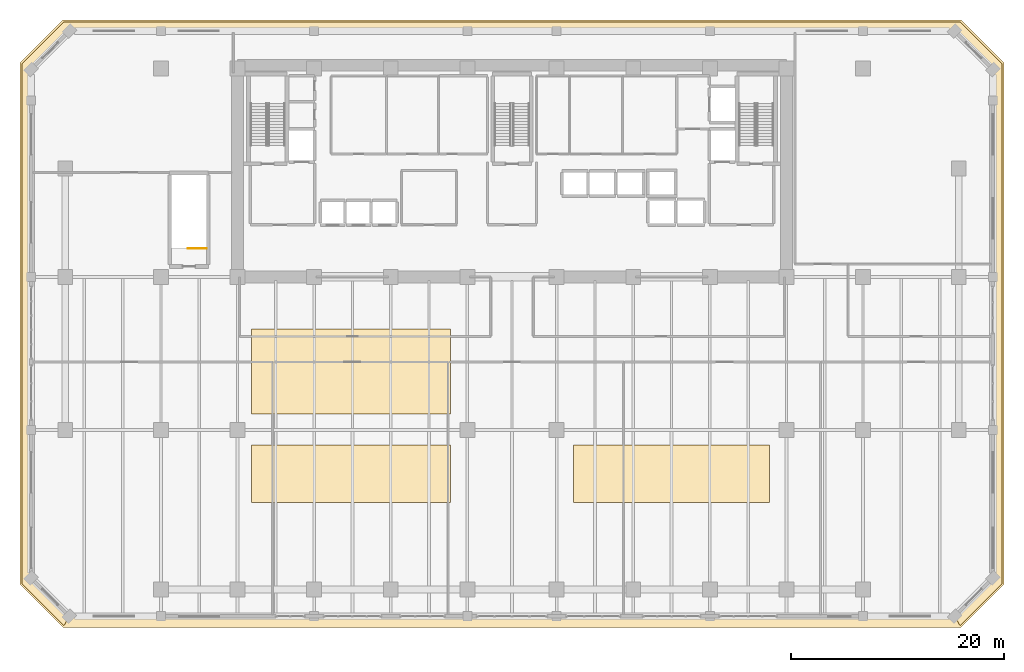
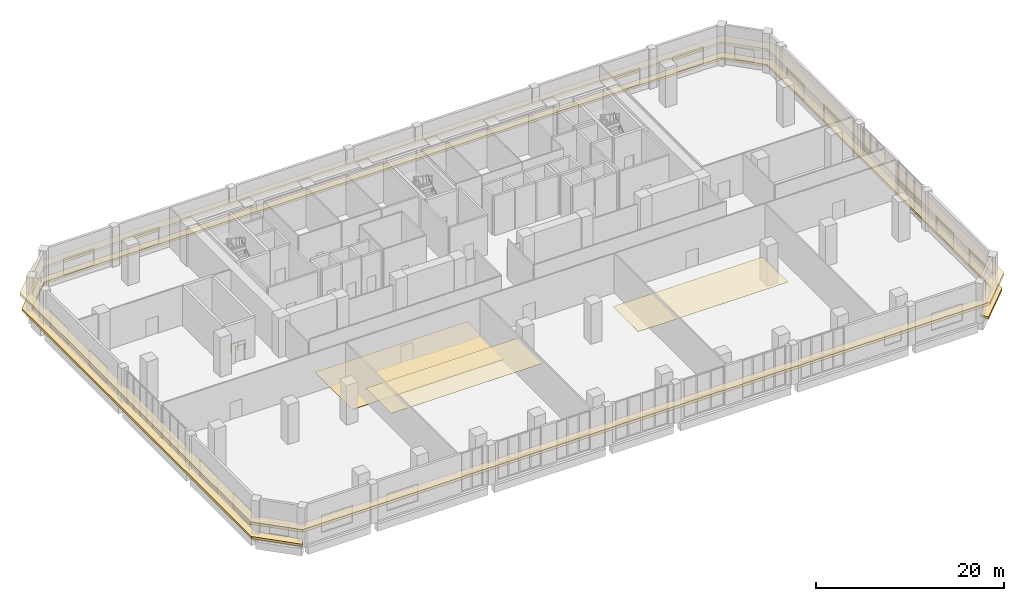
# One storey, part 23 of 25: 5 coverings, 1 railing.
"""IFC4 building model written with IfcOpenShell, lengths in metres."""

from ifc_helpers import new_model, si_unit, direction, frame, origin, origin_2d, place, context, subcontext, project, spatial, polyline, rectangle, outline, extrude, material, layer, layer_set, type_object, element, save


model = new_model("IFC4")

# Units and contexts
model_context = context("Model", 3, precision=1e-05, world=origin(), true_north=direction((0.0, 1.0)))
body_context = subcontext(model_context, "Body", "Model", "MODEL_VIEW")
ifc_project = project(units=[si_unit("LENGTHUNIT", "METRE"), si_unit("AREAUNIT", "SQUARE_METRE"), si_unit("VOLUMEUNIT", "CUBIC_METRE"), si_unit("PLANEANGLEUNIT", "RADIAN"), si_unit("MASSUNIT", "GRAM", prefix="KILO")], contexts=[model_context])

# Site, building, storey
site_placement = place(None, origin())
site = spatial("IfcSite", under=ifc_project, at=site_placement, CompositionType="ELEMENT")
building_placement = place(site_placement, origin())
building = spatial("IfcBuilding", under=site, at=building_placement, Name="Kaelvorn Grand Hotel", CompositionType="ELEMENT")
storey_placement = place(building_placement, frame((0.0, 0.0, 26.0)))
storey = spatial("IfcBuildingStorey", under=building, at=storey_placement, Name="L04", CompositionType="ELEMENT", Elevation=26.0)

# Coverings
ifc_material_1 = material(Name="Precast concrete C45/55", Category="concrete")
ifc_layer_1 = layer(ifc_material_1, 0.260009765625)
ifc_layer_set_1 = layer_set([ifc_layer_1], Name="Precast concrete C45/55")
covering_type_1 = type_object("IfcCoveringType", Name="COV-BAND-STREAMLINE-HEAD", PredefinedType="CLADDING", material=ifc_layer_set_1)
covering_1_placement = place(storey_placement, frame((0.0, 0.0, 2.419921875)))
element("IfcCovering", 1, at=covering_1_placement, inside=storey, type_object=covering_type_1, Name="L04 Streamline Moderne Wraparound Horizontal Eyebrow Band", PredefinedType="CLADDING", context=body_context, shape_type="SweptSolid", body=[
    extrude(outline(polyline([(-0.2099609375, -3.550048828125), (84.2099609375, -3.550048828125), (88.25, 0.489990234375), (88.25, 49.510009765625), (84.2099609375, 53.550048828125), (-0.2099609375, 53.550048828125), (-4.25, 49.510009765625), (-4.25, 0.489990234375), (-0.2099609375, -3.550048828125)]), holes=[polyline([(0.419921875, -2.469970703125), (83.580078125, -2.469970703125), (87.169921875, 1.1201171875), (87.169921875, 48.8798828125), (83.580078125, 52.469970703125), (0.419921875, 52.469970703125), (-3.169921875, 48.8798828125), (-3.169921875, 1.1201171875), (0.419921875, -2.469970703125)])]), origin(), (0.0, 0.0, 1.0), 0.360107421875),
])
ifc_layer_2 = layer(ifc_material_1, 0.219970703125)
ifc_layer_set_2 = layer_set([ifc_layer_2], Name="Precast concrete C45/55")
covering_type_2 = type_object("IfcCoveringType", Name="COV-BAND-STREAMLINE-SILL", PredefinedType="CLADDING", material=ifc_layer_set_2)
covering_2_placement = place(storey_placement, frame((0.0, 0.0, 0.449951171875)))
element("IfcCovering", 2, at=covering_2_placement, inside=storey, type_object=covering_type_2, Name="L04 Streamline Moderne Wraparound Horizontal Sill Spandrel Band", PredefinedType="CLADDING", context=body_context, shape_type="SweptSolid", body=[
    extrude(outline(polyline([(84.115478515625, -3.3798828125), (88.080078125, 0.58447265625), (88.080078125, 49.41552734375), (84.115478515625, 53.3798828125), (-0.115478515625, 53.3798828125), (-4.080078125, 49.41552734375), (-4.080078125, 0.58447265625), (-0.115478515625, -3.3798828125), (0.41748046875, -2.469970703125), (-3.169921875, 1.11767578125), (-3.169921875, 48.88232421875), (0.41748046875, 52.469970703125), (83.58251953125, 52.469970703125), (87.169921875, 48.88232421875), (87.169921875, 1.11767578125), (83.58251953125, -2.469970703125), (84.115478515625, -3.3798828125)])), origin(), (0.0, 0.0, 1.0), 0.300048828125),
])
ifc_material_2 = material(Name="Acoustic Mineral Fibre Board")
ifc_layer_3 = layer(ifc_material_2, 0.02490234375)
ifc_layer_set_3 = layer_set([ifc_layer_3], Name="Acoustic Mineral Fibre Board")
covering_type_3 = type_object("IfcCoveringType", Name="COV-CEIL-ACOUSTIC-25", PredefinedType="CEILING", material=ifc_layer_set_3)
covering_3_placement = place(storey_placement, frame((0.0, 0.0, 4.52783203125)))
element("IfcCovering", 3, at=covering_3_placement, inside=storey, type_object=covering_type_3, Name="L04 Suspended Acoustic Ceiling Panel 1", PredefinedType="CEILING", context=body_context, shape_type="SweptSolid", body=[
    extrude(outline(polyline([(17.5, 8.199951171875), (36.199951171875, 8.199951171875), (36.199951171875, 13.60009765625), (17.5, 13.60009765625), (17.5, 8.199951171875)])), origin(), (0.0, 0.0, 1.0), 0.02490234375),
])
covering_4_placement = place(storey_placement, frame((0.0, 0.0, 4.52783203125)))
element("IfcCovering", 4, at=covering_4_placement, inside=storey, type_object=covering_type_3, Name="L04 Suspended Acoustic Ceiling Panel 2", PredefinedType="CEILING", context=body_context, shape_type="SweptSolid", body=[
    extrude(outline(polyline([(47.800048828125, 8.199951171875), (66.199951171875, 8.199951171875), (66.199951171875, 13.60009765625), (47.800048828125, 13.60009765625), (47.800048828125, 8.199951171875)])), origin(), (0.0, 0.0, 1.0), 0.02490234375),
])
ifc_material_3 = material(Name="Polished Terrazzo Stone Tile", Category="masonry")
ifc_layer_4 = layer(ifc_material_3, 0.0400390625)
ifc_layer_set_4 = layer_set([ifc_layer_4], Name="Polished Terrazzo Stone Tile")
covering_type_4 = type_object("IfcCoveringType", Name="COV-FLR-TERRAZZO-40", PredefinedType="FLOORING", material=ifc_layer_set_4)
covering_5_placement = place(storey_placement, origin())
element("IfcCovering", 5, at=covering_5_placement, inside=storey, type_object=covering_type_4, Name="L04 Terrazzo Concourse Floor Finish", PredefinedType="FLOORING", context=body_context, shape_type="SweptSolid", body=[
    extrude(outline(polyline([(17.5, 16.5), (36.199951171875, 16.5), (36.199951171875, 24.5), (17.5, 24.5), (17.5, 16.5)])), origin(), (0.0, 0.0, 1.0), 0.0400390625),
])

# Railing
ifc_material_4 = material(Name="Stainless Steel", Category="steel")
railing_type = type_object("IfcRailingType", Name="RL-STAIR-GUARD-1150", PredefinedType="BALUSTRADE", material=ifc_material_4)
railing_placement = place(storey_placement, frame((13.280029296875, 32.06005859375, 0.0)))
element("IfcRailing", 6, at=railing_placement, inside=storey, type_object=railing_type, Name="L04 ST4 top well guard 1", PredefinedType="BALUSTRADE", context=body_context, shape_type="SweptSolid", body=[
    extrude(rectangle(XDim=0.048095703125, YDim=0.048095703125, at=origin_2d()), frame((0.0, 0.0, 1.1259765625), z_axis=(-1.0, 0.0, 0.0), x_axis=(0.0, -1.0, 0.0)), (0.0, 0.0, 1.0), 1.719970703125),
    extrude(rectangle(XDim=0.0419921875, YDim=0.0419921875, at=origin_2d()), origin(), (0.0, 0.0, 1.0), 1.101806640625),
    extrude(rectangle(XDim=0.0419921875, YDim=0.0419921875, at=origin_2d()), frame((-0.85986328125, 0.0, 0.0)), (0.0, 0.0, 1.0), 1.101806640625),
    extrude(rectangle(XDim=0.0419921875, YDim=0.0419921875, at=origin_2d()), frame((-1.719970703125, 0.0, 0.0)), (0.0, 0.0, 1.0), 1.101806640625),
])

save(model, "model.ifc")
